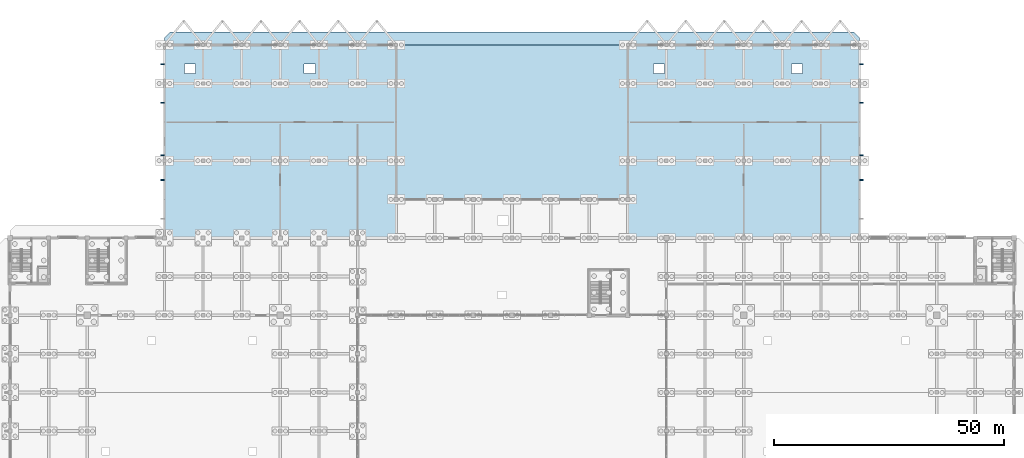
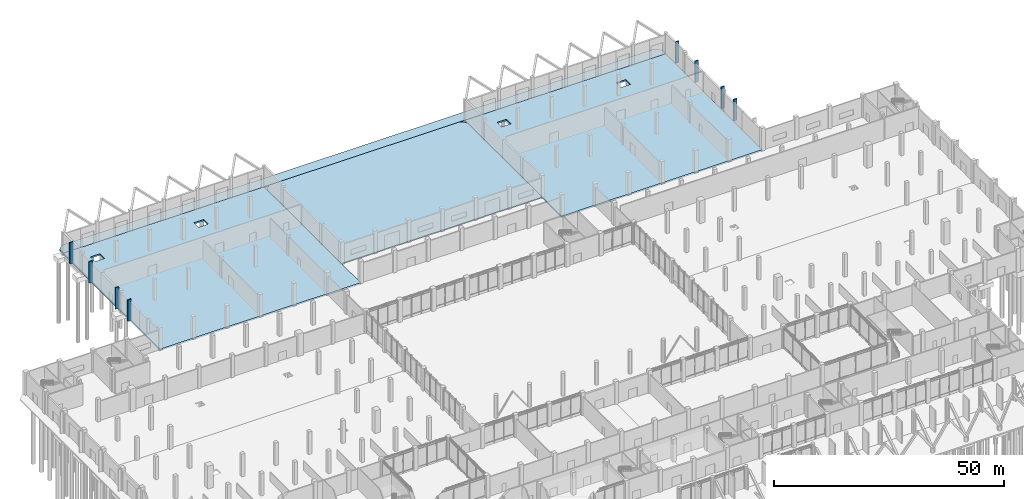
# One storey, part 50 of 72: 8 plates, 4 slabs.
"""IFC4 building model written with IfcOpenShell, lengths in metres."""

import ifcopenshell
import ifcopenshell.guid

model = None  # the IFC model being written
_history = None  # IfcOwnerHistory: only IFC2X3 demands one
_inside = {}  # id of a spatial element -> (the spatial element, [elements in it])
_under = {}  # id of a project, library or spatial element -> (it, [spatial elements below it])
_declared = {}  # id of a project -> (the project, [libraries it declares])
_typed = {}  # id of a type object -> (the type object, [elements of that type])
_made_of = {}  # id of a material, layer set ... -> (it, [elements and type objects made of it])


def new_model(schema):
    """Start an empty IFC model of exactly this schema.

    Asked for "IFC4X3", IfcOpenShell would pick the latest addendum, in which some entities
    have other attributes; the version numbers below select the first issue.
    IFC2X3 requires an IfcOwnerHistory on every rooted entity: one is made here for all.
    """
    global model, _history
    if schema == "IFC4X3":
        model = ifcopenshell.file(schema_version=(4, 3, 0, 0))
    else:
        model = ifcopenshell.file(schema=schema)
    _inside.clear()
    _under.clear()
    _declared.clear()
    _typed.clear()
    _made_of.clear()
    _history = None
    if model.schema == "IFC2X3":
        org = make("IfcOrganization", Name="unknown")
        user = make(
            "IfcPersonAndOrganization",
            ThePerson=make("IfcPerson", FamilyName="unknown"),
            TheOrganization=org,
        )
        app = make(
            "IfcApplication",
            ApplicationDeveloper=org,
            Version="unknown",
            ApplicationFullName="unknown",
            ApplicationIdentifier="unknown",
        )
        _history = make(
            "IfcOwnerHistory",
            OwningUser=user,
            OwningApplication=app,
            ChangeAction="ADDED",
            CreationDate=0,
        )
    return model


def make(cls, **values):
    """One entity of the class cls with the attributes given. An attribute that is None is left unset."""
    return model.create_entity(
        cls, **{name: value for name, value in values.items() if value is not None}
    )


def rooted(cls, **values):
    """An entity with a GlobalId (a new one), such as an element, a storey or a relation."""
    return make(cls, GlobalId=ifcopenshell.guid.new(), OwnerHistory=_history, **values)


def si_unit(unit_type, name, prefix=None):
    """IfcSIUnit, for example si_unit("LENGTHUNIT", "METRE", prefix="MILLI")."""
    return make("IfcSIUnit", UnitType=unit_type, Prefix=prefix, Name=name)


def assignment(units):
    """IfcUnitAssignment: the units of a project."""
    return None if units is None else make("IfcUnitAssignment", Units=units)


def point(xyz):
    """IfcCartesianPoint."""
    return None if xyz is None else make("IfcCartesianPoint", Coordinates=xyz)


def direction(xyz):
    """IfcDirection."""
    return None if xyz is None else make("IfcDirection", DirectionRatios=xyz)


def frame(location, z_axis=None, x_axis=None):
    """IfcAxis2Placement3D, a coordinate frame: its origin and axes. An axis left out is left unset."""
    return make(
        "IfcAxis2Placement3D",
        Location=point(location),
        Axis=direction(z_axis),
        RefDirection=direction(x_axis),
    )


def frame_2d(location, x_axis=None):
    """IfcAxis2Placement2D, a coordinate frame in the plane: its origin and x axis."""
    return make(
        "IfcAxis2Placement2D", Location=point(location), RefDirection=direction(x_axis)
    )


def origin():
    """The frame at (0, 0, 0) with its axes left unset."""
    return frame((0.0, 0.0, 0.0))


def place(relative_to, where):
    """IfcLocalPlacement: puts the frame where relative to a parent placement (None: the world)."""
    return make(
        "IfcLocalPlacement", PlacementRelTo=relative_to, RelativePlacement=where
    )


def context(
    kind, dimensions, precision=None, world=None, true_north=None, identifier=None
):
    """IfcGeometricRepresentationContext, for example the 3D "Model" context."""
    return make(
        "IfcGeometricRepresentationContext",
        ContextIdentifier=identifier,
        ContextType=kind,
        CoordinateSpaceDimension=dimensions,
        Precision=precision,
        WorldCoordinateSystem=world,
        TrueNorth=true_north,
    )


def subcontext(parent, identifier, kind, view, scale=None):
    """IfcGeometricRepresentationSubContext, for example "Body" below "Model"."""
    return make(
        "IfcGeometricRepresentationSubContext",
        ContextIdentifier=identifier,
        ContextType=kind,
        ParentContext=parent,
        TargetScale=scale,
        TargetView=view,
    )


def project(units=None, contexts=None):
    """IfcProject with its units and contexts."""
    return rooted(
        "IfcProject",
        Name="project",
        RepresentationContexts=contexts,
        UnitsInContext=assignment(units),
    )


def spatial(cls, under=None, at=None, **own):
    """A site, building, storey or space (cls), placed at a placement, below another one or the project."""
    s = rooted(cls, ObjectPlacement=at, **own)
    if under is not None:
        _under.setdefault(under.id(), (under, []))[1].append(s)
    return s


def polyline(points):
    """IfcPolyline through the points."""
    return make("IfcPolyline", Points=[point(p) for p in points])


def profile(cls, at=None, kind="AREA", **sizes):
    """A parametric profile (cls). Its sizes go by their IFC names, for example OverallWidth=200.0."""
    return make(cls, ProfileType=kind, Position=at, **sizes)


def rectangle(**sizes):
    """IfcRectangleProfileDef."""
    return profile("IfcRectangleProfileDef", **sizes)


def outline(outer, holes=None, kind="AREA"):
    """IfcArbitraryClosedProfileDef: a profile drawn as a closed curve; with holes, ...WithVoids."""
    if holes is None:
        return make("IfcArbitraryClosedProfileDef", ProfileType=kind, OuterCurve=outer)
    return make(
        "IfcArbitraryProfileDefWithVoids",
        ProfileType=kind,
        OuterCurve=outer,
        InnerCurves=holes,
    )


def extrude(swept, where, along, depth):
    """IfcExtrudedAreaSolid: the profile swept, set in the frame where, extruded along a direction by depth."""
    return make(
        "IfcExtrudedAreaSolid",
        SweptArea=swept,
        Position=where,
        ExtrudedDirection=direction(along),
        Depth=depth,
    )


def shape(context_of_items, identifier, shape_type, items):
    """IfcShapeRepresentation: the items that make up one representation, for example the "Body"."""
    return make(
        "IfcShapeRepresentation",
        ContextOfItems=context_of_items,
        RepresentationIdentifier=identifier,
        RepresentationType=shape_type,
        Items=items,
    )


def material(Name=None, Category=None):
    """IfcMaterial."""
    return make("IfcMaterial", Name=Name, Category=Category)


def layer(
    of_material, thickness, ventilated=None, Name=None, Category=None, Priority=None
):
    """IfcMaterialLayer: one layer of a wall or slab, of a material (None: an air gap)."""
    return make(
        "IfcMaterialLayer",
        Material=of_material,
        LayerThickness=thickness,
        IsVentilated=ventilated,
        Name=Name,
        Category=Category,
        Priority=Priority,
    )


def layer_set(layers, Name=None):
    """IfcMaterialLayerSet."""
    return make("IfcMaterialLayerSet", MaterialLayers=layers, LayerSetName=Name)


def made_of(thing, what):
    """Note that an element or type object is made of a material, layer set ...; save() writes the relation."""
    if what is not None:
        _made_of.setdefault(what.id(), (what, []))[1].append(thing)
    return thing


def type_object(cls, material=None, **own):
    """A type object (cls), such as IfcWallType, which elements share."""
    return made_of(rooted(cls, **own), material)


def element(
    cls,
    number,
    at=None,
    inside=None,
    cuts=None,
    type_object=None,
    material=None,
    context=None,
    identifier="Body",
    shape_type=None,
    held_by="IfcProductDefinitionShape",
    body=None,
    shapes=None,
    **own,
):
    """One element of the class cls, such as IfcWall. Its Tag is "e" and its number.

    at: its placement. inside: the storey or other place that contains it. cuts: it is an
    opening in that element (IfcRelVoidsElement). A single representation is given by context,
    identifier, shape_type and body (its items); several are given by shapes. held_by: the class
    of the entity that holds the representations. save() writes the other relations.
    """
    e = rooted(cls, Tag="e%d" % number, ObjectPlacement=at, **own)
    if body is not None:
        shapes = [shape(context, identifier, shape_type, body)]
    if shapes is not None:
        e.Representation = make(held_by, Representations=shapes)
    if inside is not None:
        _inside.setdefault(inside.id(), (inside, []))[1].append(e)
    if cuts is not None:
        rooted(
            "IfcRelVoidsElement", RelatingBuildingElement=cuts, RelatedOpeningElement=e
        )
    if type_object is not None:
        _typed.setdefault(type_object.id(), (type_object, []))[1].append(e)
    return made_of(e, material)


def aggregate(whole, parts):
    """IfcRelAggregates: a whole, such as a stair, and the parts it consists of."""
    return rooted("IfcRelAggregates", RelatingObject=whole, RelatedObjects=parts)


def save(model, path):
    """Write the relations noted so far, then the file.

    IfcRelAggregates (storeys below a building ...), IfcRelContainedInSpatialStructure (elements
    in a storey), IfcRelDefinesByType, IfcRelAssociatesMaterial and IfcRelDeclares: one each for
    every whole, place, type object, material and project.
    """
    for whole, parts in _under.values():
        aggregate(whole, parts)
    for where, things in _inside.values():
        rooted(
            "IfcRelContainedInSpatialStructure",
            RelatedElements=things,
            RelatingStructure=where,
        )
    for kind, things in _typed.values():
        rooted("IfcRelDefinesByType", RelatedObjects=things, RelatingType=kind)
    for what, things in _made_of.values():
        rooted("IfcRelAssociatesMaterial", RelatedObjects=things, RelatingMaterial=what)
    for by, libraries in _declared.values():
        rooted("IfcRelDeclares", RelatingContext=by, RelatedDefinitions=libraries)
    model.write(path)


model = new_model("IFC4")

# Units and contexts
model_context = context("Model", 3, precision=1e-05, world=origin(), true_north=direction((0.0, 1.0)))
body_context = subcontext(model_context, "Body", "Model", "MODEL_VIEW")
ifc_project = project(units=[si_unit("LENGTHUNIT", "METRE"), si_unit("AREAUNIT", "SQUARE_METRE"), si_unit("VOLUMEUNIT", "CUBIC_METRE"), si_unit("PLANEANGLEUNIT", "RADIAN"), si_unit("MASSUNIT", "GRAM", prefix="KILO")], contexts=[model_context])

# Site, building, storey
site_placement = place(None, origin())
site = spatial("IfcSite", under=ifc_project, at=site_placement, CompositionType="ELEMENT")
building_placement = place(site_placement, origin())
building = spatial("IfcBuilding", under=site, at=building_placement, Name="Qawsi Khor Wholesale Market", CompositionType="ELEMENT")
storey_placement = place(building_placement, origin())
storey = spatial("IfcBuildingStorey", under=building, at=storey_placement, Name="L00", CompositionType="ELEMENT", Elevation=0.0)

# Slabs
ifc_material_1 = material(Name="Concrete C45/55", Category="concrete")
ifc_layer_1 = layer(ifc_material_1, 0.31005859375, Name="Concrete C45/55")
ifc_layer_set_1 = layer_set([ifc_layer_1], Name="Concrete C45/55")
slab_type_1 = type_object("IfcSlabType", Name="Arcade & Forecourt Structural Deck 310 C45/55", PredefinedType="BASESLAB", material=ifc_layer_set_1)
slab_1_placement = place(storey_placement, frame((0.0, 0.0, -0.31005859375)))
element("IfcSlab", 1, at=slab_1_placement, inside=storey, type_object=slab_type_1, Name="SLB-L00-N-DOCK-APRON", PredefinedType="BASESLAB", context=body_context, shape_type="SweptSolid", body=[
    extrude(outline(polyline([(33.60009765625, 151.199951171875), (184.800048828125, 151.199951171875), (184.800048828125, 152.800048828125), (183.60009765625, 154.0), (34.800048828125, 154.0), (33.60009765625, 152.800048828125), (33.60009765625, 151.199951171875)])), origin(), (0.0, 0.0, 1.0), 0.31005859375),
])
slab_2_placement = place(storey_placement, frame((0.0, 0.0, -0.31005859375)))
element("IfcSlab", 2, at=slab_2_placement, inside=storey, type_object=slab_type_1, Name="SLB-L00-N-YARD", PredefinedType="BASESLAB", context=body_context, shape_type="SweptSolid", body=[
    extrude(outline(polyline([(84.0, 117.60009765625), (134.39990234375, 117.60009765625), (134.39990234375, 150.0), (133.199951171875, 151.199951171875), (85.199951171875, 151.199951171875), (84.0, 150.0), (84.0, 117.60009765625)])), origin(), (0.0, 0.0, 1.0), 0.31005859375),
])
ifc_layer_2 = layer(ifc_material_1, 0.389892578125, Name="Concrete C45/55")
ifc_layer_set_2 = layer_set([ifc_layer_2], Name="Concrete C45/55")
slab_type_2 = type_object("IfcSlabType", Name="Cold-Store Insulated Base Slab 390 C45/55", PredefinedType="BASESLAB", material=ifc_layer_set_2)
slab_3_placement = place(storey_placement, frame((0.0, 0.0, -0.389892578125)))
element("IfcSlab", 3, at=slab_3_placement, inside=storey, type_object=slab_type_2, Name="SLB-L00-NWCOLD", PredefinedType="BASESLAB", context=body_context, shape_type="SweptSolid", body=[
    extrude(outline(polyline([(33.60009765625, 151.199951171875), (84.0, 151.199951171875), (84.0, 109.199951171875), (33.60009765625, 109.199951171875), (33.60009765625, 151.199951171875)]), holes=[polyline([(38.0, 145.0), (40.39990234375, 145.0), (40.39990234375, 147.0), (38.0, 147.0), (38.0, 145.0)]), polyline([(64.0, 145.0), (66.39990234375, 145.0), (66.39990234375, 147.0), (64.0, 147.0), (64.0, 145.0)])]), origin(), (0.0, 0.0, 1.0), 0.389892578125),
])
slab_4_placement = place(storey_placement, frame((0.0, 0.0, -0.389892578125)))
element("IfcSlab", 4, at=slab_4_placement, inside=storey, type_object=slab_type_2, Name="SLB-L00-NECOLD", PredefinedType="BASESLAB", context=body_context, shape_type="SweptSolid", body=[
    extrude(outline(polyline([(134.39990234375, 151.199951171875), (184.800048828125, 151.199951171875), (184.800048828125, 109.199951171875), (134.39990234375, 109.199951171875), (134.39990234375, 151.199951171875)]), holes=[polyline([(140.0, 145.0), (142.39990234375, 145.0), (142.39990234375, 147.0), (140.0, 147.0), (140.0, 145.0)]), polyline([(170.0, 145.0), (172.39990234375, 145.0), (172.39990234375, 147.0), (170.0, 147.0), (170.0, 145.0)])]), origin(), (0.0, 0.0, 1.0), 0.389892578125),
])

# Plates
ifc_material_2 = material(Name="Concrete C40/50", Category="concrete")
ifc_layer_3 = layer(ifc_material_2, 0.260009765625, Name="Concrete C40/50")
ifc_layer_set_3 = layer_set([ifc_layer_3], Name="Concrete C40/50")
plate_type = type_object("IfcPlateType", Name="Sculpted Concrete Solar Buttress Fin 260", PredefinedType="SHEET", material=ifc_layer_set_3)
for number, where, z_axis, x_axis, name in (
    (5, (33.60009765625, 121.800048828125, 0.0), (0.0, 0.0, 1.0), (-1.0, 0.0, 0.0), "NWC Cold-Store Sculpted Concrete Fin 14"),
    (6, (33.60009765625, 127.199951171875, 0.0), (0.0, 0.0, 1.0), (-1.0, 0.0, 0.0), "NWC Cold-Store Sculpted Concrete Fin 15"),
    (7, (33.60009765625, 138.60009765625, 0.0), (0.0, 0.0, 1.0), (-1.0, 0.0, 0.0), "NWC Cold-Store Sculpted Concrete Fin 16"),
    (8, (33.60009765625, 147.0, 0.0), (0.0, 0.0, 1.0), (-1.0, 0.0, 0.0), "NWC Cold-Store Sculpted Concrete Fin 17"),
):
    element("IfcPlate", number, at=place(storey_placement, frame(where, z_axis=z_axis, x_axis=x_axis)), inside=storey, type_object=plate_type, Name=name, PredefinedType="SHEET", context=body_context, shape_type="SweptSolid", body=[
        extrude(rectangle(XDim=0.85009765625, YDim=0.260009765625, at=frame_2d((0.425048828125, 0.0))), origin(), (0.0, 0.0, 1.0), 5.699951171875),
    ])
for number, where, z_axis, x_axis, name in (
    (9, (184.800048828125, 121.800048828125, 0.0), (0.0, 0.0, 1.0), (1.0, 0.0, 0.0), "NEC Cold-Store Sculpted Concrete Fin 14"),
    (10, (184.800048828125, 127.199951171875, 0.0), (0.0, 0.0, 1.0), (1.0, 0.0, 0.0), "NEC Cold-Store Sculpted Concrete Fin 15"),
    (11, (184.800048828125, 138.60009765625, 0.0), (0.0, 0.0, 1.0), (1.0, 0.0, 0.0), "NEC Cold-Store Sculpted Concrete Fin 16"),
    (12, (184.800048828125, 147.0, 0.0), (0.0, 0.0, 1.0), (1.0, 0.0, 0.0), "NEC Cold-Store Sculpted Concrete Fin 17"),
):
    element("IfcPlate", number, at=place(storey_placement, frame(where, z_axis=z_axis, x_axis=x_axis)), inside=storey, type_object=plate_type, Name=name, PredefinedType="SHEET", context=body_context, shape_type="SweptSolid", body=[
        extrude(rectangle(XDim=0.849853515625, YDim=0.260009765625, at=frame_2d((0.4248046875, 0.0))), origin(), (0.0, 0.0, 1.0), 5.699951171875),
    ])

save(model, "model.ifc")
